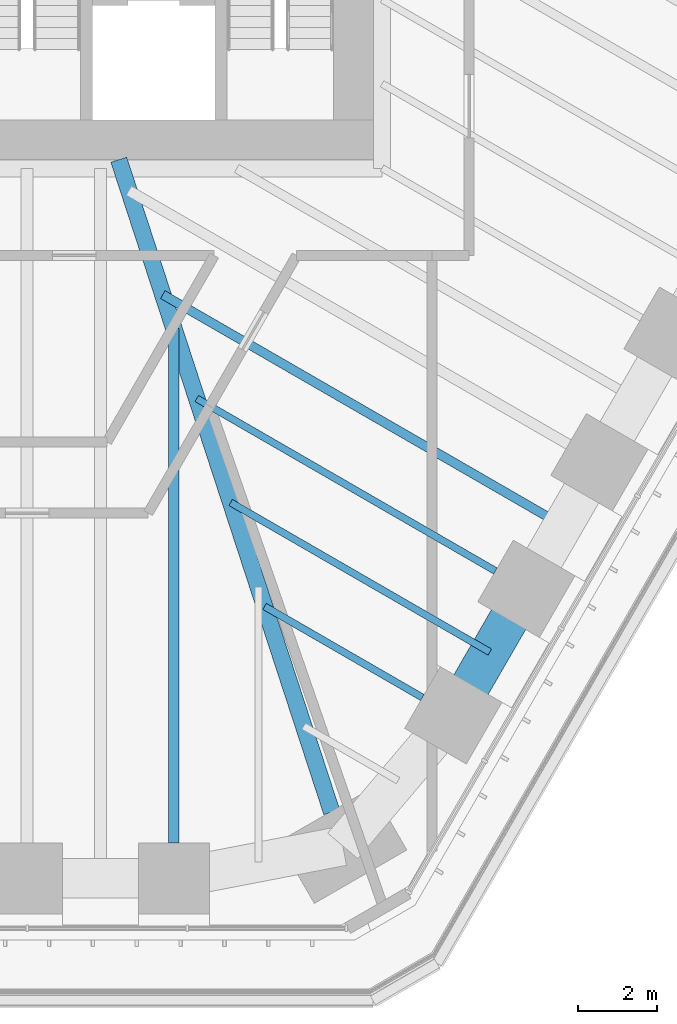
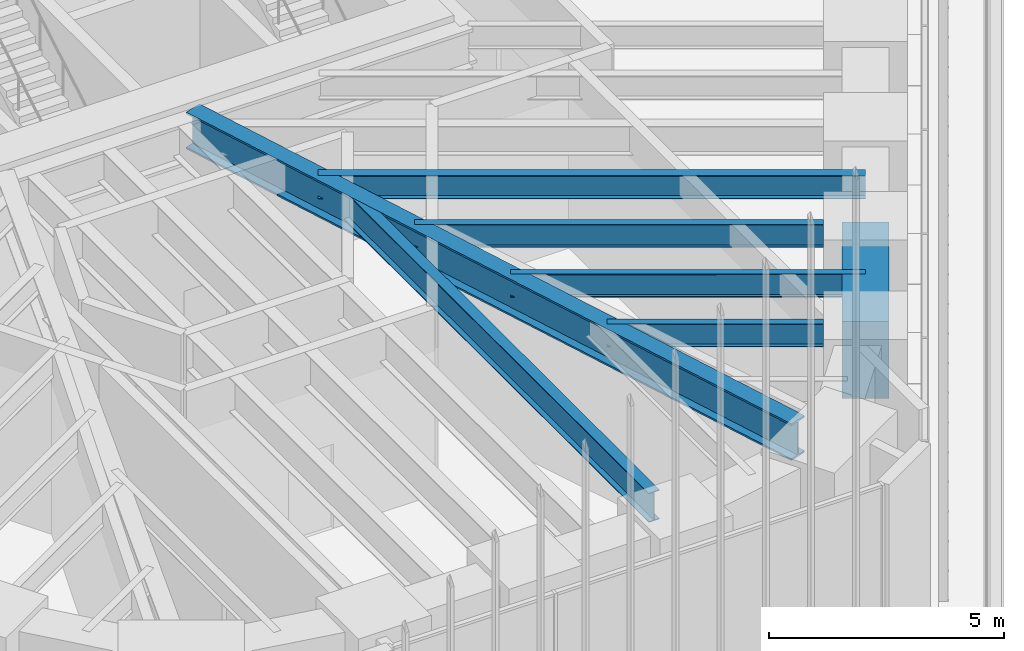
# One storey, part 85 of 228: 7 beams.
"""IFC4 building model written with IfcOpenShell, lengths in metres."""

from ifc_helpers import new_model, si_unit, direction, frame, origin, origin_2d, place, context, subcontext, project, spatial, rectangle, i_section, extrude, material, material_profile, profile_set, type_object, element, save


model = new_model("IFC4")

# Units and contexts
model_context = context("Model", 3, precision=1e-05, world=origin(), true_north=direction((0.0, 1.0)))
body_context = subcontext(model_context, "Body", "Model", "MODEL_VIEW")
ifc_project = project(units=[si_unit("LENGTHUNIT", "METRE"), si_unit("AREAUNIT", "SQUARE_METRE"), si_unit("VOLUMEUNIT", "CUBIC_METRE"), si_unit("PLANEANGLEUNIT", "RADIAN"), si_unit("MASSUNIT", "GRAM", prefix="KILO")], contexts=[model_context])

# Site, building, storey
site_placement = place(None, origin())
site = spatial("IfcSite", under=ifc_project, at=site_placement, CompositionType="ELEMENT")
building_placement = place(site_placement, origin())
building = spatial("IfcBuilding", under=site, at=building_placement, Name="Sandreach Pilgrim Tower", CompositionType="ELEMENT")
storey_placement = place(building_placement, frame((0.0, 0.0, 178.199951171875)))
storey = spatial("IfcBuildingStorey", under=building, at=storey_placement, Name="L44", CompositionType="ELEMENT", Elevation=178.199951171875)

# Beams
ifc_material_1 = material(Name="Steel ASTM A992 Grade 50", Category="steel")
ifc_material_profile_1 = material_profile(ifc_material_1, i_section(OverallWidth=0.421630859375, OverallDepth=0.95751953125, WebThickness=0.02587890625, FlangeThickness=0.046875, at=origin_2d()), Name="W36X330")
ifc_profile_set_1 = profile_set([ifc_material_profile_1], Name="Steel ASTM A992 Grade 50")
beam_type_1 = type_object("IfcBeamType", Name="Corner girder W36X330", PredefinedType="BEAM", material=ifc_profile_set_1)
beam_1_placement = place(storey_placement, frame((7.69921875, -23.58642578125, 4.361328125), z_axis=(-0.310313250761, 0.950634359995, 0.0), x_axis=(-0.950634359995, -0.310313250761, 0.0)))
element("IfcBeam", 1, at=beam_1_placement, inside=storey, type_object=beam_type_1, Name="BM L44 CG22", PredefinedType="BEAM", context=body_context, shape_type="SweptSolid", body=[
    extrude(i_section(OverallWidth=0.421630859375, OverallDepth=0.95751953125, WebThickness=0.02587890625, FlangeThickness=0.046875, at=origin_2d()), origin(), (0.0, 0.0, 1.0), 17.342529296875),
])
ifc_material_2 = material(Name="Steel ASTM A992 Grade 50", Category="steel")
ifc_material_profile_2 = material_profile(ifc_material_2, i_section(OverallWidth=0.1787109375, OverallDepth=0.60205078125, WebThickness=0.010986328125, FlangeThickness=0.014892578125, at=origin_2d()), Name="W24X62")
ifc_profile_set_2 = profile_set([ifc_material_profile_2], Name="Steel ASTM A992 Grade 50")
beam_type_2 = type_object("IfcBeamType", Name="Floor beam W24X62", PredefinedType="BEAM", material=ifc_profile_set_2)
beam_2_placement = place(storey_placement, frame((11.8388671875, -17.49462890625, 4.5390625), z_axis=(-0.866018660621, 0.50001167932, 0.0), x_axis=(-0.50001167932, -0.866018660621, 0.0)))
element("IfcBeam", 2, at=beam_2_placement, inside=storey, type_object=beam_type_2, Name="BM L44 F20", PredefinedType="BEAM", context=body_context, shape_type="SweptSolid", body=[
    extrude(i_section(OverallWidth=0.1787109375, OverallDepth=0.60205078125, WebThickness=0.010986328125, FlangeThickness=0.014892578125, at=origin_2d()), origin(), (0.0, 0.0, 1.0), 8.719482421875),
])
beam_3_placement = place(storey_placement, frame((9.99267578125, -20.6923828125, 4.5390625), z_axis=(-0.866030286288, 0.49999154316, 0.0), x_axis=(-0.49999154316, -0.866030286288, 0.0)))
element("IfcBeam", 3, at=beam_3_placement, inside=storey, type_object=beam_type_2, Name="BM L44 F21", PredefinedType="BEAM", context=body_context, shape_type="SweptSolid", body=[
    extrude(i_section(OverallWidth=0.1787109375, OverallDepth=0.60205078125, WebThickness=0.010986328125, FlangeThickness=0.014892578125, at=origin_2d()), origin(), (0.0, 0.0, 1.0), 4.607421875),
])
beam_4_placement = place(storey_placement, frame((11.6953125, -19.54345703125, 4.5390625), z_axis=(-0.866029704776, 0.49999255039, 0.0), x_axis=(-0.49999255039, -0.866029704776, 0.0)))
element("IfcBeam", 4, at=beam_4_placement, inside=storey, type_object=beam_type_2, Name="BM L44 FM20", PredefinedType="BEAM", context=body_context, shape_type="SweptSolid", body=[
    extrude(i_section(OverallWidth=0.1787109375, OverallDepth=0.60205078125, WebThickness=0.010986328125, FlangeThickness=0.014892578125, at=origin_2d()), origin(), (0.0, 0.0, 1.0), 7.5634765625),
])
ifc_material_3 = material(Name="Steel ASTM A992 Grade 50", Category="steel")
ifc_material_profile_3 = material_profile(ifc_material_3, i_section(OverallWidth=0.23046875, OverallDepth=0.6171875, WebThickness=0.01318359375, FlangeThickness=0.022216796875, at=origin_2d()), Name="W24X94")
ifc_profile_set_3 = profile_set([ifc_material_profile_3], Name="Steel ASTM A992 Grade 50")
beam_type_3 = type_object("IfcBeamType", Name="Floor beam W24X94", PredefinedType="BEAM", material=ifc_profile_set_3)
beam_5_placement = place(storey_placement, frame((13.54150390625, -16.345703125, 4.531494140625), z_axis=(-0.866026454974, 0.499998179282, 0.0), x_axis=(-0.499998179282, -0.866026454974, 0.0)))
element("IfcBeam", 5, at=beam_5_placement, inside=storey, type_object=beam_type_3, Name="BM L44 FM19", PredefinedType="BEAM", context=body_context, shape_type="SweptSolid", body=[
    extrude(i_section(OverallWidth=0.23046875, OverallDepth=0.6171875, WebThickness=0.01318359375, FlangeThickness=0.022216796875, at=origin_2d()), origin(), (0.0, 0.0, 1.0), 11.67578125),
])
ifc_material_4 = material(Name="Steel ASTM A992 Grade 50", Category="steel")
ifc_material_profile_4 = material_profile(ifc_material_4, i_section(OverallWidth=0.2666015625, OverallDepth=0.761962890625, WebThickness=0.014404296875, FlangeThickness=0.021484375, at=origin_2d()), Name="W30X116")
ifc_profile_set_4 = profile_set([ifc_material_profile_4], Name="Steel ASTM A992 Grade 50")
beam_type_4 = type_object("IfcBeamType", Name="Floor beam W30X116", PredefinedType="BEAM", material=ifc_profile_set_4)
beam_6_placement = place(storey_placement, frame((3.71044921875, -24.365234375, 4.458984375), z_axis=(0.0, 1.0, 0.0), x_axis=(-1.0, 0.0, 0.0)))
element("IfcBeam", 6, at=beam_6_placement, inside=storey, type_object=beam_type_4, Name="BM L44 F23", PredefinedType="BEAM", context=body_context, shape_type="SweptSolid", body=[
    extrude(i_section(OverallWidth=0.2666015625, OverallDepth=0.761962890625, WebThickness=0.014404296875, FlangeThickness=0.021484375, at=origin_2d()), origin(), (0.0, 0.0, 1.0), 12.99853515625),
])
ifc_material_5 = material(Name="Concrete 10000 psi", Category="concrete")
ifc_material_profile_5 = material_profile(ifc_material_5, rectangle(XDim=1.0, YDim=2.0, at=origin_2d()), Name="RC1000X2000")
ifc_profile_set_5 = profile_set([ifc_material_profile_5], Name="Concrete 10000 psi")
beam_type_5 = type_object("IfcBeamType", Name="Spandrel beam RC1000X2000", PredefinedType="SPANDREL", material=ifc_profile_set_5)
beam_7_placement = place(storey_placement, frame((12.618408203125, -17.944580078125, 3.840087890625), z_axis=(-0.499993363642, -0.866029235253, 0.0), x_axis=(0.866029235253, -0.499993363642, 0.0)))
element("IfcBeam", 7, at=beam_7_placement, inside=storey, type_object=beam_type_5, Name="BM L44 SP20", PredefinedType="SPANDREL", context=body_context, shape_type="SweptSolid", body=[
    extrude(rectangle(XDim=1.0, YDim=2.0, at=origin_2d()), origin(), (0.0, 0.0, 1.0), 3.6923828125),
])

save(model, "model.ifc")
